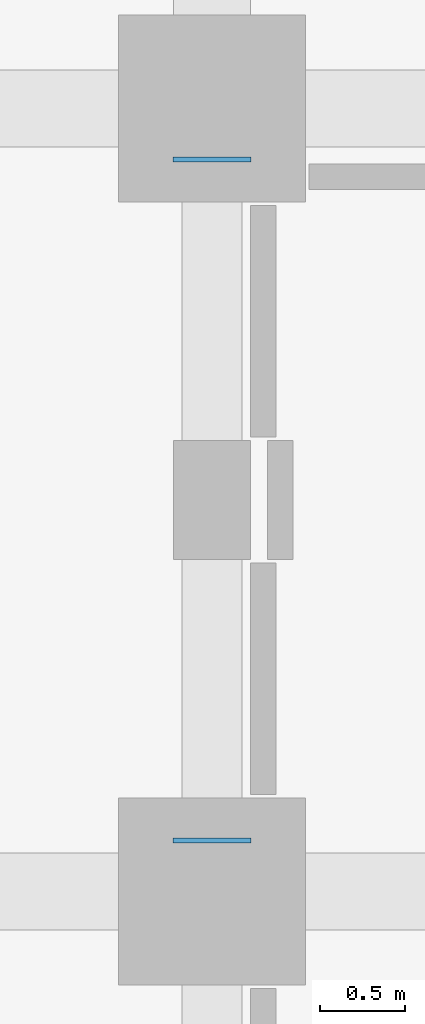
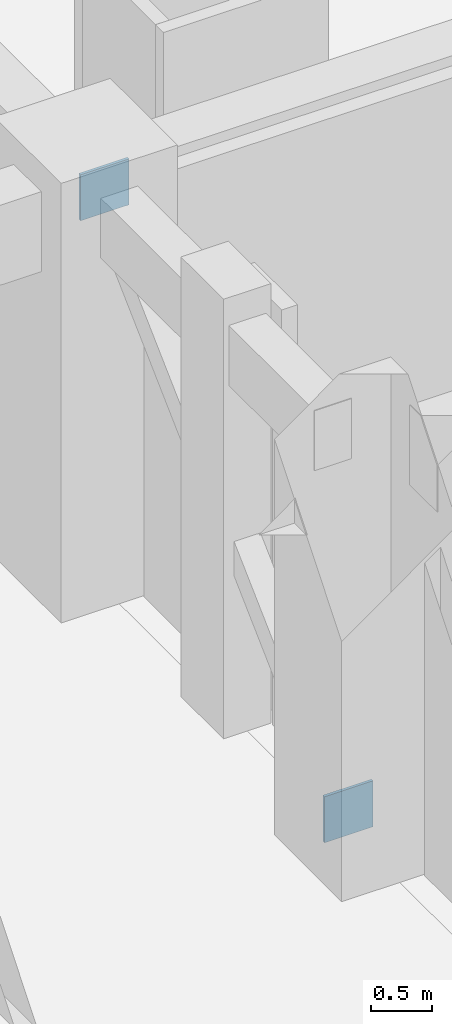
# One storey, part 65 of 90: 2 plates.
"""IFC4 building model written with IfcOpenShell, lengths in metres."""

import ifcopenshell
import ifcopenshell.guid

model = None  # the IFC model being written
_history = None  # IfcOwnerHistory: only IFC2X3 demands one
_inside = {}  # id of a spatial element -> (the spatial element, [elements in it])
_under = {}  # id of a project, library or spatial element -> (it, [spatial elements below it])
_declared = {}  # id of a project -> (the project, [libraries it declares])
_typed = {}  # id of a type object -> (the type object, [elements of that type])
_made_of = {}  # id of a material, layer set ... -> (it, [elements and type objects made of it])


def new_model(schema):
    """Start an empty IFC model of exactly this schema.

    Asked for "IFC4X3", IfcOpenShell would pick the latest addendum, in which some entities
    have other attributes; the version numbers below select the first issue.
    IFC2X3 requires an IfcOwnerHistory on every rooted entity: one is made here for all.
    """
    global model, _history
    if schema == "IFC4X3":
        model = ifcopenshell.file(schema_version=(4, 3, 0, 0))
    else:
        model = ifcopenshell.file(schema=schema)
    _inside.clear()
    _under.clear()
    _declared.clear()
    _typed.clear()
    _made_of.clear()
    _history = None
    if model.schema == "IFC2X3":
        org = make("IfcOrganization", Name="unknown")
        user = make(
            "IfcPersonAndOrganization",
            ThePerson=make("IfcPerson", FamilyName="unknown"),
            TheOrganization=org,
        )
        app = make(
            "IfcApplication",
            ApplicationDeveloper=org,
            Version="unknown",
            ApplicationFullName="unknown",
            ApplicationIdentifier="unknown",
        )
        _history = make(
            "IfcOwnerHistory",
            OwningUser=user,
            OwningApplication=app,
            ChangeAction="ADDED",
            CreationDate=0,
        )
    return model


def make(cls, **values):
    """One entity of the class cls with the attributes given. An attribute that is None is left unset."""
    return model.create_entity(
        cls, **{name: value for name, value in values.items() if value is not None}
    )


def rooted(cls, **values):
    """An entity with a GlobalId (a new one), such as an element, a storey or a relation."""
    return make(cls, GlobalId=ifcopenshell.guid.new(), OwnerHistory=_history, **values)


def si_unit(unit_type, name, prefix=None):
    """IfcSIUnit, for example si_unit("LENGTHUNIT", "METRE", prefix="MILLI")."""
    return make("IfcSIUnit", UnitType=unit_type, Prefix=prefix, Name=name)


def assignment(units):
    """IfcUnitAssignment: the units of a project."""
    return None if units is None else make("IfcUnitAssignment", Units=units)


def point(xyz):
    """IfcCartesianPoint."""
    return None if xyz is None else make("IfcCartesianPoint", Coordinates=xyz)


def direction(xyz):
    """IfcDirection."""
    return None if xyz is None else make("IfcDirection", DirectionRatios=xyz)


def frame(location, z_axis=None, x_axis=None):
    """IfcAxis2Placement3D, a coordinate frame: its origin and axes. An axis left out is left unset."""
    return make(
        "IfcAxis2Placement3D",
        Location=point(location),
        Axis=direction(z_axis),
        RefDirection=direction(x_axis),
    )


def frame_2d(location, x_axis=None):
    """IfcAxis2Placement2D, a coordinate frame in the plane: its origin and x axis."""
    return make(
        "IfcAxis2Placement2D", Location=point(location), RefDirection=direction(x_axis)
    )


def origin():
    """The frame at (0, 0, 0) with its axes left unset."""
    return frame((0.0, 0.0, 0.0))


def origin_2d():
    """The frame at (0, 0) in the plane with its x axis left unset."""
    return frame_2d((0.0, 0.0))


def place(relative_to, where):
    """IfcLocalPlacement: puts the frame where relative to a parent placement (None: the world)."""
    return make(
        "IfcLocalPlacement", PlacementRelTo=relative_to, RelativePlacement=where
    )


def context(
    kind, dimensions, precision=None, world=None, true_north=None, identifier=None
):
    """IfcGeometricRepresentationContext, for example the 3D "Model" context."""
    return make(
        "IfcGeometricRepresentationContext",
        ContextIdentifier=identifier,
        ContextType=kind,
        CoordinateSpaceDimension=dimensions,
        Precision=precision,
        WorldCoordinateSystem=world,
        TrueNorth=true_north,
    )


def subcontext(parent, identifier, kind, view, scale=None):
    """IfcGeometricRepresentationSubContext, for example "Body" below "Model"."""
    return make(
        "IfcGeometricRepresentationSubContext",
        ContextIdentifier=identifier,
        ContextType=kind,
        ParentContext=parent,
        TargetScale=scale,
        TargetView=view,
    )


def project(units=None, contexts=None):
    """IfcProject with its units and contexts."""
    return rooted(
        "IfcProject",
        Name="project",
        RepresentationContexts=contexts,
        UnitsInContext=assignment(units),
    )


def spatial(cls, under=None, at=None, **own):
    """A site, building, storey or space (cls), placed at a placement, below another one or the project."""
    s = rooted(cls, ObjectPlacement=at, **own)
    if under is not None:
        _under.setdefault(under.id(), (under, []))[1].append(s)
    return s


def profile(cls, at=None, kind="AREA", **sizes):
    """A parametric profile (cls). Its sizes go by their IFC names, for example OverallWidth=200.0."""
    return make(cls, ProfileType=kind, Position=at, **sizes)


def rectangle(**sizes):
    """IfcRectangleProfileDef."""
    return profile("IfcRectangleProfileDef", **sizes)


def extrude(swept, where, along, depth):
    """IfcExtrudedAreaSolid: the profile swept, set in the frame where, extruded along a direction by depth."""
    return make(
        "IfcExtrudedAreaSolid",
        SweptArea=swept,
        Position=where,
        ExtrudedDirection=direction(along),
        Depth=depth,
    )


def shape(context_of_items, identifier, shape_type, items):
    """IfcShapeRepresentation: the items that make up one representation, for example the "Body"."""
    return make(
        "IfcShapeRepresentation",
        ContextOfItems=context_of_items,
        RepresentationIdentifier=identifier,
        RepresentationType=shape_type,
        Items=items,
    )


def material(Name=None, Category=None):
    """IfcMaterial."""
    return make("IfcMaterial", Name=Name, Category=Category)


def layer(
    of_material, thickness, ventilated=None, Name=None, Category=None, Priority=None
):
    """IfcMaterialLayer: one layer of a wall or slab, of a material (None: an air gap)."""
    return make(
        "IfcMaterialLayer",
        Material=of_material,
        LayerThickness=thickness,
        IsVentilated=ventilated,
        Name=Name,
        Category=Category,
        Priority=Priority,
    )


def layer_set(layers, Name=None):
    """IfcMaterialLayerSet."""
    return make("IfcMaterialLayerSet", MaterialLayers=layers, LayerSetName=Name)


def made_of(thing, what):
    """Note that an element or type object is made of a material, layer set ...; save() writes the relation."""
    if what is not None:
        _made_of.setdefault(what.id(), (what, []))[1].append(thing)
    return thing


def type_object(cls, material=None, **own):
    """A type object (cls), such as IfcWallType, which elements share."""
    return made_of(rooted(cls, **own), material)


def element(
    cls,
    number,
    at=None,
    inside=None,
    cuts=None,
    type_object=None,
    material=None,
    context=None,
    identifier="Body",
    shape_type=None,
    held_by="IfcProductDefinitionShape",
    body=None,
    shapes=None,
    **own,
):
    """One element of the class cls, such as IfcWall. Its Tag is "e" and its number.

    at: its placement. inside: the storey or other place that contains it. cuts: it is an
    opening in that element (IfcRelVoidsElement). A single representation is given by context,
    identifier, shape_type and body (its items); several are given by shapes. held_by: the class
    of the entity that holds the representations. save() writes the other relations.
    """
    e = rooted(cls, Tag="e%d" % number, ObjectPlacement=at, **own)
    if body is not None:
        shapes = [shape(context, identifier, shape_type, body)]
    if shapes is not None:
        e.Representation = make(held_by, Representations=shapes)
    if inside is not None:
        _inside.setdefault(inside.id(), (inside, []))[1].append(e)
    if cuts is not None:
        rooted(
            "IfcRelVoidsElement", RelatingBuildingElement=cuts, RelatedOpeningElement=e
        )
    if type_object is not None:
        _typed.setdefault(type_object.id(), (type_object, []))[1].append(e)
    return made_of(e, material)


def aggregate(whole, parts):
    """IfcRelAggregates: a whole, such as a stair, and the parts it consists of."""
    return rooted("IfcRelAggregates", RelatingObject=whole, RelatedObjects=parts)


def save(model, path):
    """Write the relations noted so far, then the file.

    IfcRelAggregates (storeys below a building ...), IfcRelContainedInSpatialStructure (elements
    in a storey), IfcRelDefinesByType, IfcRelAssociatesMaterial and IfcRelDeclares: one each for
    every whole, place, type object, material and project.
    """
    for whole, parts in _under.values():
        aggregate(whole, parts)
    for where, things in _inside.values():
        rooted(
            "IfcRelContainedInSpatialStructure",
            RelatedElements=things,
            RelatingStructure=where,
        )
    for kind, things in _typed.values():
        rooted("IfcRelDefinesByType", RelatedObjects=things, RelatingType=kind)
    for what, things in _made_of.values():
        rooted("IfcRelAssociatesMaterial", RelatedObjects=things, RelatingMaterial=what)
    for by, libraries in _declared.values():
        rooted("IfcRelDeclares", RelatingContext=by, RelatedDefinitions=libraries)
    model.write(path)


model = new_model("IFC4")

# Units and contexts
model_context = context("Model", 3, precision=1e-05, world=origin(), true_north=direction((0.0, 1.0)))
body_context = subcontext(model_context, "Body", "Model", "MODEL_VIEW")
ifc_project = project(units=[si_unit("LENGTHUNIT", "METRE"), si_unit("AREAUNIT", "SQUARE_METRE"), si_unit("VOLUMEUNIT", "CUBIC_METRE"), si_unit("PLANEANGLEUNIT", "RADIAN"), si_unit("MASSUNIT", "GRAM", prefix="KILO")], contexts=[model_context])

# Site, building, storey
site_placement = place(None, origin())
site = spatial("IfcSite", under=ifc_project, at=site_placement, CompositionType="ELEMENT")
building_placement = place(site_placement, origin())
building = spatial("IfcBuilding", under=site, at=building_placement, Name="Muzn Square Opera House", CompositionType="ELEMENT")
storey_placement = place(building_placement, frame((0.0, 0.0, 9.800048828125)))
storey = spatial("IfcBuildingStorey", under=building, at=storey_placement, Name="L02", CompositionType="ELEMENT", Elevation=9.800048828125)

# Plates
ifc_material = material(Name="Steel S355", Category="steel")
ifc_layer = layer(ifc_material, 0.028076171875, Name="Steel S355", Category="steel")
ifc_layer_set = layer_set([ifc_layer], Name="Steel S355")
plate_type = type_object("IfcPlateType", Name="Gusset Plate 28mm 460x460", PredefinedType="USERDEFINED", material=ifc_layer_set)
for number, where, z_axis, x_axis, name in (
    (1, (43.0, 68.300048828125, -0.030029296875), (0.0, 0.0, 1.0), (1.0, 0.0, 0.0), "Lateral Brace End Cap Plate SBRC-10-A"),
    (2, (43.0, 72.300048828125, 3.77001953125), (0.0, 0.0, 1.0), (1.0, 0.0, 0.0), "Lateral Brace End Cap Plate SBRC-10-B"),
):
    element("IfcPlate", number, at=place(storey_placement, frame(where, z_axis=z_axis, x_axis=x_axis)), inside=storey, type_object=plate_type, Name=name, ObjectType="GUSSET PLATE", PredefinedType="USERDEFINED", context=body_context, shape_type="SweptSolid", body=[
        extrude(rectangle(XDim=0.4599609375, YDim=0.028076171875, at=origin_2d()), origin(), (0.0, 0.0, 1.0), 0.4599609375),
    ])

save(model, "model.ifc")
